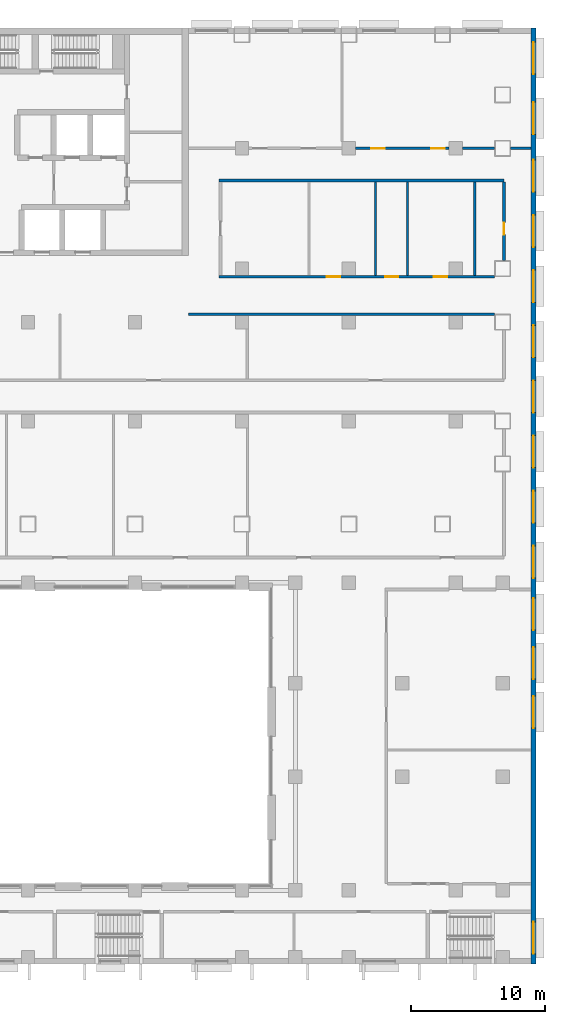
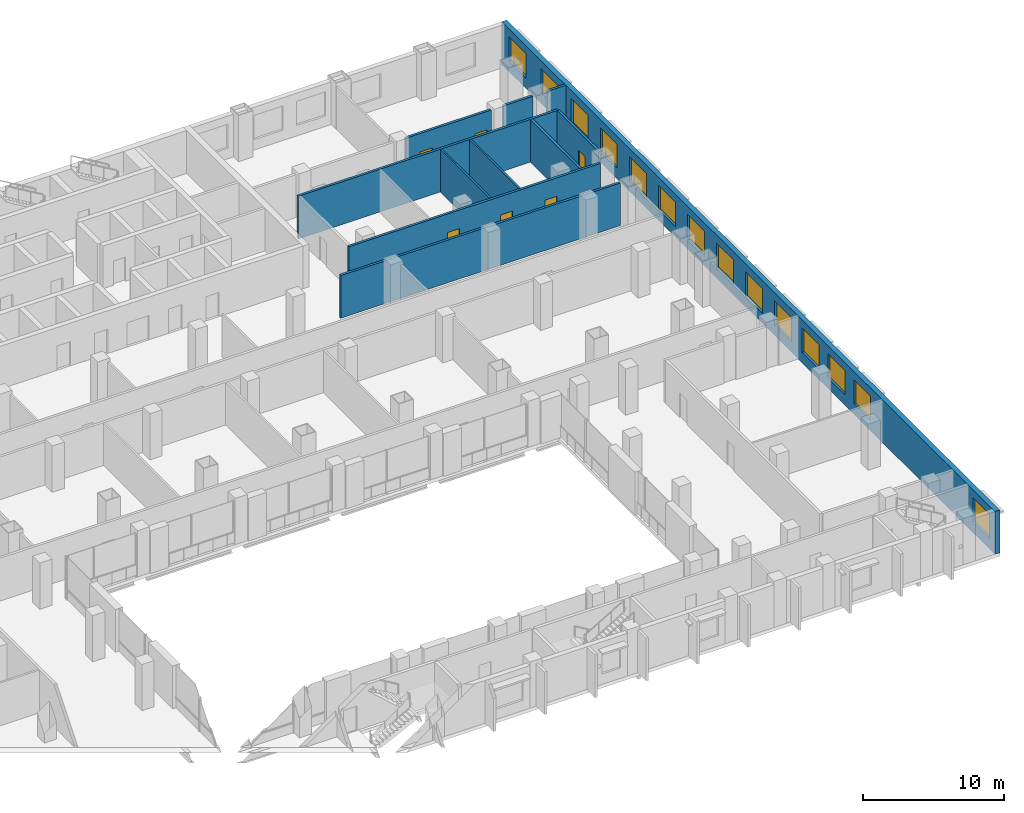
# One storey, part 15 of 25: 14 windows, 11 walls, 6 doors, 20 openings.
"""IFC4 building model written with IfcOpenShell, lengths in metres."""

import ifcopenshell
import ifcopenshell.guid

model = None  # the IFC model being written
_history = None  # IfcOwnerHistory: only IFC2X3 demands one
_inside = {}  # id of a spatial element -> (the spatial element, [elements in it])
_under = {}  # id of a project, library or spatial element -> (it, [spatial elements below it])
_declared = {}  # id of a project -> (the project, [libraries it declares])
_typed = {}  # id of a type object -> (the type object, [elements of that type])
_made_of = {}  # id of a material, layer set ... -> (it, [elements and type objects made of it])


def new_model(schema):
    """Start an empty IFC model of exactly this schema.

    Asked for "IFC4X3", IfcOpenShell would pick the latest addendum, in which some entities
    have other attributes; the version numbers below select the first issue.
    IFC2X3 requires an IfcOwnerHistory on every rooted entity: one is made here for all.
    """
    global model, _history
    if schema == "IFC4X3":
        model = ifcopenshell.file(schema_version=(4, 3, 0, 0))
    else:
        model = ifcopenshell.file(schema=schema)
    _inside.clear()
    _under.clear()
    _declared.clear()
    _typed.clear()
    _made_of.clear()
    _history = None
    if model.schema == "IFC2X3":
        org = make("IfcOrganization", Name="unknown")
        user = make(
            "IfcPersonAndOrganization",
            ThePerson=make("IfcPerson", FamilyName="unknown"),
            TheOrganization=org,
        )
        app = make(
            "IfcApplication",
            ApplicationDeveloper=org,
            Version="unknown",
            ApplicationFullName="unknown",
            ApplicationIdentifier="unknown",
        )
        _history = make(
            "IfcOwnerHistory",
            OwningUser=user,
            OwningApplication=app,
            ChangeAction="ADDED",
            CreationDate=0,
        )
    return model


def make(cls, **values):
    """One entity of the class cls with the attributes given. An attribute that is None is left unset."""
    return model.create_entity(
        cls, **{name: value for name, value in values.items() if value is not None}
    )


def rooted(cls, **values):
    """An entity with a GlobalId (a new one), such as an element, a storey or a relation."""
    return make(cls, GlobalId=ifcopenshell.guid.new(), OwnerHistory=_history, **values)


def si_unit(unit_type, name, prefix=None):
    """IfcSIUnit, for example si_unit("LENGTHUNIT", "METRE", prefix="MILLI")."""
    return make("IfcSIUnit", UnitType=unit_type, Prefix=prefix, Name=name)


def assignment(units):
    """IfcUnitAssignment: the units of a project."""
    return None if units is None else make("IfcUnitAssignment", Units=units)


def point(xyz):
    """IfcCartesianPoint."""
    return None if xyz is None else make("IfcCartesianPoint", Coordinates=xyz)


def direction(xyz):
    """IfcDirection."""
    return None if xyz is None else make("IfcDirection", DirectionRatios=xyz)


def frame(location, z_axis=None, x_axis=None):
    """IfcAxis2Placement3D, a coordinate frame: its origin and axes. An axis left out is left unset."""
    return make(
        "IfcAxis2Placement3D",
        Location=point(location),
        Axis=direction(z_axis),
        RefDirection=direction(x_axis),
    )


def frame_2d(location, x_axis=None):
    """IfcAxis2Placement2D, a coordinate frame in the plane: its origin and x axis."""
    return make(
        "IfcAxis2Placement2D", Location=point(location), RefDirection=direction(x_axis)
    )


def origin():
    """The frame at (0, 0, 0) with its axes left unset."""
    return frame((0.0, 0.0, 0.0))


def place(relative_to, where):
    """IfcLocalPlacement: puts the frame where relative to a parent placement (None: the world)."""
    return make(
        "IfcLocalPlacement", PlacementRelTo=relative_to, RelativePlacement=where
    )


def context(
    kind, dimensions, precision=None, world=None, true_north=None, identifier=None
):
    """IfcGeometricRepresentationContext, for example the 3D "Model" context."""
    return make(
        "IfcGeometricRepresentationContext",
        ContextIdentifier=identifier,
        ContextType=kind,
        CoordinateSpaceDimension=dimensions,
        Precision=precision,
        WorldCoordinateSystem=world,
        TrueNorth=true_north,
    )


def subcontext(parent, identifier, kind, view, scale=None):
    """IfcGeometricRepresentationSubContext, for example "Body" below "Model"."""
    return make(
        "IfcGeometricRepresentationSubContext",
        ContextIdentifier=identifier,
        ContextType=kind,
        ParentContext=parent,
        TargetScale=scale,
        TargetView=view,
    )


def project(units=None, contexts=None):
    """IfcProject with its units and contexts."""
    return rooted(
        "IfcProject",
        Name="project",
        RepresentationContexts=contexts,
        UnitsInContext=assignment(units),
    )


def spatial(cls, under=None, at=None, **own):
    """A site, building, storey or space (cls), placed at a placement, below another one or the project."""
    s = rooted(cls, ObjectPlacement=at, **own)
    if under is not None:
        _under.setdefault(under.id(), (under, []))[1].append(s)
    return s


def profile(cls, at=None, kind="AREA", **sizes):
    """A parametric profile (cls). Its sizes go by their IFC names, for example OverallWidth=200.0."""
    return make(cls, ProfileType=kind, Position=at, **sizes)


def rectangle(**sizes):
    """IfcRectangleProfileDef."""
    return profile("IfcRectangleProfileDef", **sizes)


def extrude(swept, where, along, depth):
    """IfcExtrudedAreaSolid: the profile swept, set in the frame where, extruded along a direction by depth."""
    return make(
        "IfcExtrudedAreaSolid",
        SweptArea=swept,
        Position=where,
        ExtrudedDirection=direction(along),
        Depth=depth,
    )


def shape(context_of_items, identifier, shape_type, items):
    """IfcShapeRepresentation: the items that make up one representation, for example the "Body"."""
    return make(
        "IfcShapeRepresentation",
        ContextOfItems=context_of_items,
        RepresentationIdentifier=identifier,
        RepresentationType=shape_type,
        Items=items,
    )


def material(Name=None, Category=None):
    """IfcMaterial."""
    return make("IfcMaterial", Name=Name, Category=Category)


def layer(
    of_material, thickness, ventilated=None, Name=None, Category=None, Priority=None
):
    """IfcMaterialLayer: one layer of a wall or slab, of a material (None: an air gap)."""
    return make(
        "IfcMaterialLayer",
        Material=of_material,
        LayerThickness=thickness,
        IsVentilated=ventilated,
        Name=Name,
        Category=Category,
        Priority=Priority,
    )


def layer_set(layers, Name=None):
    """IfcMaterialLayerSet."""
    return make("IfcMaterialLayerSet", MaterialLayers=layers, LayerSetName=Name)


def made_of(thing, what):
    """Note that an element or type object is made of a material, layer set ...; save() writes the relation."""
    if what is not None:
        _made_of.setdefault(what.id(), (what, []))[1].append(thing)
    return thing


def type_object(cls, material=None, **own):
    """A type object (cls), such as IfcWallType, which elements share."""
    return made_of(rooted(cls, **own), material)


def element(
    cls,
    number,
    at=None,
    inside=None,
    cuts=None,
    type_object=None,
    material=None,
    context=None,
    identifier="Body",
    shape_type=None,
    held_by="IfcProductDefinitionShape",
    body=None,
    shapes=None,
    **own,
):
    """One element of the class cls, such as IfcWall. Its Tag is "e" and its number.

    at: its placement. inside: the storey or other place that contains it. cuts: it is an
    opening in that element (IfcRelVoidsElement). A single representation is given by context,
    identifier, shape_type and body (its items); several are given by shapes. held_by: the class
    of the entity that holds the representations. save() writes the other relations.
    """
    e = rooted(cls, Tag="e%d" % number, ObjectPlacement=at, **own)
    if body is not None:
        shapes = [shape(context, identifier, shape_type, body)]
    if shapes is not None:
        e.Representation = make(held_by, Representations=shapes)
    if inside is not None:
        _inside.setdefault(inside.id(), (inside, []))[1].append(e)
    if cuts is not None:
        rooted(
            "IfcRelVoidsElement", RelatingBuildingElement=cuts, RelatedOpeningElement=e
        )
    if type_object is not None:
        _typed.setdefault(type_object.id(), (type_object, []))[1].append(e)
    return made_of(e, material)


def fill(opening, filler):
    """IfcRelFillsElement: the door or window that sits in an opening."""
    return rooted(
        "IfcRelFillsElement",
        RelatingOpeningElement=opening,
        RelatedBuildingElement=filler,
    )


def aggregate(whole, parts):
    """IfcRelAggregates: a whole, such as a stair, and the parts it consists of."""
    return rooted("IfcRelAggregates", RelatingObject=whole, RelatedObjects=parts)


def save(model, path):
    """Write the relations noted so far, then the file.

    IfcRelAggregates (storeys below a building ...), IfcRelContainedInSpatialStructure (elements
    in a storey), IfcRelDefinesByType, IfcRelAssociatesMaterial and IfcRelDeclares: one each for
    every whole, place, type object, material and project.
    """
    for whole, parts in _under.values():
        aggregate(whole, parts)
    for where, things in _inside.values():
        rooted(
            "IfcRelContainedInSpatialStructure",
            RelatedElements=things,
            RelatingStructure=where,
        )
    for kind, things in _typed.values():
        rooted("IfcRelDefinesByType", RelatedObjects=things, RelatingType=kind)
    for what, things in _made_of.values():
        rooted("IfcRelAssociatesMaterial", RelatedObjects=things, RelatingMaterial=what)
    for by, libraries in _declared.values():
        rooted("IfcRelDeclares", RelatingContext=by, RelatedDefinitions=libraries)
    model.write(path)


model = new_model("IFC4")

# Units and contexts
model_context = context("Model", 3, precision=1e-05, world=origin(), true_north=direction((0.0, 1.0)))
body_context = subcontext(model_context, "Body", "Model", "MODEL_VIEW")
ifc_project = project(units=[si_unit("LENGTHUNIT", "METRE"), si_unit("AREAUNIT", "SQUARE_METRE"), si_unit("VOLUMEUNIT", "CUBIC_METRE"), si_unit("PLANEANGLEUNIT", "RADIAN"), si_unit("MASSUNIT", "GRAM", prefix="KILO")], contexts=[model_context])

# Site, building, storey
site_placement = place(None, origin())
site = spatial("IfcSite", under=ifc_project, at=site_placement, CompositionType="ELEMENT")
building_placement = place(site_placement, origin())
building = spatial("IfcBuilding", under=site, at=building_placement, Name="Vidyagriha Tower", CompositionType="ELEMENT")
storey_placement = place(building_placement, frame((0.0, 0.0, 10.0)))
storey = spatial("IfcBuildingStorey", under=building, at=storey_placement, Name="L02", CompositionType="ELEMENT", Elevation=10.0)

# Wall, openings, windows
ifc_material_1 = material(Name="Concrete C40/50 board-marked with brick facing", Category="concrete")
ifc_layer_1 = layer(ifc_material_1, 0.39990234375)
ifc_layer_set_1 = layer_set([ifc_layer_1], Name="Concrete C40/50 board-marked with brick facing")
wall_type_1 = type_object("IfcWallType", Name="Brick-faced board-marked concrete podium wall 400", PredefinedType="STANDARD", material=ifc_layer_set_1)
wall_1_placement = place(storey_placement, frame((39.800048828125, -50.0, 0.0), z_axis=(0.0, 0.0, 1.0), x_axis=(0.0, 1.0, 0.0)))
wall_1 = element("IfcWall", 1, at=wall_1_placement, inside=storey, type_object=wall_type_1, Name="Podium wall L02 R01", PredefinedType="STANDARD", context=body_context, shape_type="SweptSolid", body=[
    extrude(rectangle(XDim=70.0, YDim=0.39990234375, at=frame_2d((35.0, 0.0))), origin(), (0.0, 0.0, 1.0), 3.699951171875),
])
opening_1_placement = place(wall_1_placement, frame((0.75, 0.0, 0.89990234375)))
opening_1 = element("IfcOpeningElement", 2, at=opening_1_placement, cuts=wall_1, Name="Opening WN3", PredefinedType="OPENING", context=body_context, shape_type="SweptSolid", body=[
    extrude(rectangle(XDim=2.39990234375, YDim=2.10009765625, at=frame_2d((1.199951171875, 1.050048828125))), frame((0.0, 0.2099609375, 0.0), z_axis=(0.0, -1.0, 0.0), x_axis=(1.0, 0.0, 0.0)), (0.0, 0.0, 1.0), 0.419921875),
])
opening_2_placement = place(wall_1_placement, frame((17.63330078125, 0.0, 0.89990234375)))
opening_2 = element("IfcOpeningElement", 3, at=opening_2_placement, cuts=wall_1, Name="Opening WN3", PredefinedType="OPENING", context=body_context, shape_type="SweptSolid", body=[
    extrude(rectangle(XDim=2.39990234375, YDim=2.10009765625, at=frame_2d((1.199951171875, 1.050048828125))), frame((0.0, 0.2099609375, 0.0), z_axis=(0.0, -1.0, 0.0), x_axis=(1.0, 0.0, 0.0)), (0.0, 0.0, 1.0), 0.419921875),
])
opening_3_placement = place(wall_1_placement, frame((21.300048828125, 0.0, 0.89990234375)))
opening_3 = element("IfcOpeningElement", 4, at=opening_3_placement, cuts=wall_1, Name="Opening WN3", PredefinedType="OPENING", context=body_context, shape_type="SweptSolid", body=[
    extrude(rectangle(XDim=2.39990234375, YDim=2.10009765625, at=frame_2d((1.199951171875, 1.050048828125))), frame((0.0, 0.2099609375, 0.0), z_axis=(0.0, -1.0, 0.0), x_axis=(1.0, 0.0, 0.0)), (0.0, 0.0, 1.0), 0.419921875),
])
opening_4_placement = place(wall_1_placement, frame((24.966796875, 0.0, 0.89990234375)))
opening_4 = element("IfcOpeningElement", 5, at=opening_4_placement, cuts=wall_1, Name="Opening WN3", PredefinedType="OPENING", context=body_context, shape_type="SweptSolid", body=[
    extrude(rectangle(XDim=2.39990234375, YDim=2.10009765625, at=frame_2d((1.199951171875, 1.050048828125))), frame((0.0, 0.2099609375, 0.0), z_axis=(0.0, -1.0, 0.0), x_axis=(1.0, 0.0, 0.0)), (0.0, 0.0, 1.0), 0.419921875),
])
opening_5_placement = place(wall_1_placement, frame((28.862548828125, 0.0, 0.89990234375)))
opening_5 = element("IfcOpeningElement", 6, at=opening_5_placement, cuts=wall_1, Name="Opening WN3", PredefinedType="OPENING", context=body_context, shape_type="SweptSolid", body=[
    extrude(rectangle(XDim=2.39990234375, YDim=2.10009765625, at=frame_2d((1.199951171875, 1.050048828125))), frame((0.0, 0.2099609375, 0.0), z_axis=(0.0, -1.0, 0.0), x_axis=(1.0, 0.0, 0.0)), (0.0, 0.0, 1.0), 0.419921875),
])
opening_6_placement = place(wall_1_placement, frame((32.987548828125, 0.0, 0.89990234375)))
opening_6 = element("IfcOpeningElement", 7, at=opening_6_placement, cuts=wall_1, Name="Opening WN3", PredefinedType="OPENING", context=body_context, shape_type="SweptSolid", body=[
    extrude(rectangle(XDim=2.39990234375, YDim=2.10009765625, at=frame_2d((1.199951171875, 1.050048828125))), frame((0.0, 0.2099609375, 0.0), z_axis=(0.0, -1.0, 0.0), x_axis=(1.0, 0.0, 0.0)), (0.0, 0.0, 1.0), 0.419921875),
])
opening_7_placement = place(wall_1_placement, frame((37.112548828125, 0.0, 0.89990234375)))
opening_7 = element("IfcOpeningElement", 8, at=opening_7_placement, cuts=wall_1, Name="Opening WN3", PredefinedType="OPENING", context=body_context, shape_type="SweptSolid", body=[
    extrude(rectangle(XDim=2.39990234375, YDim=2.10009765625, at=frame_2d((1.199951171875, 1.050048828125))), frame((0.0, 0.2099609375, 0.0), z_axis=(0.0, -1.0, 0.0), x_axis=(1.0, 0.0, 0.0)), (0.0, 0.0, 1.0), 0.419921875),
])
opening_8_placement = place(wall_1_placement, frame((41.237548828125, 0.0, 0.89990234375)))
opening_8 = element("IfcOpeningElement", 9, at=opening_8_placement, cuts=wall_1, Name="Opening WN3", PredefinedType="OPENING", context=body_context, shape_type="SweptSolid", body=[
    extrude(rectangle(XDim=2.39990234375, YDim=2.10009765625, at=frame_2d((1.199951171875, 1.050048828125))), frame((0.0, 0.2099609375, 0.0), z_axis=(0.0, -1.0, 0.0), x_axis=(1.0, 0.0, 0.0)), (0.0, 0.0, 1.0), 0.419921875),
])
opening_9_placement = place(wall_1_placement, frame((45.362548828125, 0.0, 0.89990234375)))
opening_9 = element("IfcOpeningElement", 10, at=opening_9_placement, cuts=wall_1, Name="Opening WN3", PredefinedType="OPENING", context=body_context, shape_type="SweptSolid", body=[
    extrude(rectangle(XDim=2.39990234375, YDim=2.10009765625, at=frame_2d((1.199951171875, 1.050048828125))), frame((0.0, 0.2099609375, 0.0), z_axis=(0.0, -1.0, 0.0), x_axis=(1.0, 0.0, 0.0)), (0.0, 0.0, 1.0), 0.419921875),
])
opening_10_placement = place(wall_1_placement, frame((49.487548828125, 0.0, 0.89990234375)))
opening_10 = element("IfcOpeningElement", 11, at=opening_10_placement, cuts=wall_1, Name="Opening WN3", PredefinedType="OPENING", context=body_context, shape_type="SweptSolid", body=[
    extrude(rectangle(XDim=2.39990234375, YDim=2.10009765625, at=frame_2d((1.199951171875, 1.050048828125))), frame((0.0, 0.2099609375, 0.0), z_axis=(0.0, -1.0, 0.0), x_axis=(1.0, 0.0, 0.0)), (0.0, 0.0, 1.0), 0.419921875),
])
opening_11_placement = place(wall_1_placement, frame((53.612548828125, 0.0, 0.89990234375)))
opening_11 = element("IfcOpeningElement", 12, at=opening_11_placement, cuts=wall_1, Name="Opening WN3", PredefinedType="OPENING", context=body_context, shape_type="SweptSolid", body=[
    extrude(rectangle(XDim=2.39990234375, YDim=2.10009765625, at=frame_2d((1.199951171875, 1.050048828125))), frame((0.0, 0.2099609375, 0.0), z_axis=(0.0, -1.0, 0.0), x_axis=(1.0, 0.0, 0.0)), (0.0, 0.0, 1.0), 0.419921875),
])
opening_12_placement = place(wall_1_placement, frame((57.737548828125, 0.0, 0.89990234375)))
opening_12 = element("IfcOpeningElement", 13, at=opening_12_placement, cuts=wall_1, Name="Opening WN3", PredefinedType="OPENING", context=body_context, shape_type="SweptSolid", body=[
    extrude(rectangle(XDim=2.39990234375, YDim=2.10009765625, at=frame_2d((1.199951171875, 1.050048828125))), frame((0.0, 0.2099609375, 0.0), z_axis=(0.0, -1.0, 0.0), x_axis=(1.0, 0.0, 0.0)), (0.0, 0.0, 1.0), 0.419921875),
])
opening_13_placement = place(wall_1_placement, frame((62.050048828125, 0.0, 0.89990234375)))
opening_13 = element("IfcOpeningElement", 14, at=opening_13_placement, cuts=wall_1, Name="Opening WN3", PredefinedType="OPENING", context=body_context, shape_type="SweptSolid", body=[
    extrude(rectangle(XDim=2.39990234375, YDim=2.10009765625, at=frame_2d((1.199951171875, 1.050048828125))), frame((0.0, 0.2099609375, 0.0), z_axis=(0.0, -1.0, 0.0), x_axis=(1.0, 0.0, 0.0)), (0.0, 0.0, 1.0), 0.419921875),
])
opening_14_placement = place(wall_1_placement, frame((66.550048828125, 0.0, 0.89990234375)))
opening_14 = element("IfcOpeningElement", 15, at=opening_14_placement, cuts=wall_1, Name="Opening WN3", PredefinedType="OPENING", context=body_context, shape_type="SweptSolid", body=[
    extrude(rectangle(XDim=2.39990234375, YDim=2.10009765625, at=frame_2d((1.199951171875, 1.050048828125))), frame((0.0, 0.2099609375, 0.0), z_axis=(0.0, -1.0, 0.0), x_axis=(1.0, 0.0, 0.0)), (0.0, 0.0, 1.0), 0.419921875),
])
ifc_material_2 = material(Name="Aluminium and glass window", Category="aluminium")
window_type = type_object("IfcWindowType", Name="Podium school window 2400x2100", PartitioningType="NOTDEFINED", PredefinedType="WINDOW", material=ifc_material_2)
window_1_placement = place(opening_1_placement, origin())
window_1 = element("IfcWindow", 16, at=window_1_placement, inside=storey, type_object=window_type, Name="School window L02 R01.1", OverallHeight=2.10009765625, OverallWidth=2.39990234375, PartitioningType="SINGLE_PANEL", PredefinedType="WINDOW", context=body_context, shape_type="SweptSolid", body=[
    extrude(rectangle(XDim=2.39990234375, YDim=2.10009765625, at=frame_2d((1.199951171875, 1.050048828125))), frame((0.0, 0.030029296875, 0.0), z_axis=(0.0, -1.0, 0.0), x_axis=(1.0, 0.0, 0.0)), (0.0, 0.0, 1.0), 0.06005859375),
])
fill(opening_1, window_1)
window_2_placement = place(opening_2_placement, origin())
window_2 = element("IfcWindow", 17, at=window_2_placement, inside=storey, type_object=window_type, Name="School window L02 R01.7", OverallHeight=2.10009765625, OverallWidth=2.39990234375, PartitioningType="SINGLE_PANEL", PredefinedType="WINDOW", context=body_context, shape_type="SweptSolid", body=[
    extrude(rectangle(XDim=2.39990234375, YDim=2.10009765625, at=frame_2d((1.199951171875, 1.050048828125))), frame((0.0, 0.030029296875, 0.0), z_axis=(0.0, -1.0, 0.0), x_axis=(1.0, 0.0, 0.0)), (0.0, 0.0, 1.0), 0.06005859375),
])
fill(opening_2, window_2)
window_3_placement = place(opening_3_placement, origin())
window_3 = element("IfcWindow", 18, at=window_3_placement, inside=storey, type_object=window_type, Name="School window L02 R01.8", OverallHeight=2.10009765625, OverallWidth=2.39990234375, PartitioningType="SINGLE_PANEL", PredefinedType="WINDOW", context=body_context, shape_type="SweptSolid", body=[
    extrude(rectangle(XDim=2.39990234375, YDim=2.10009765625, at=frame_2d((1.199951171875, 1.050048828125))), frame((0.0, 0.030029296875, 0.0), z_axis=(0.0, -1.0, 0.0), x_axis=(1.0, 0.0, 0.0)), (0.0, 0.0, 1.0), 0.06005859375),
])
fill(opening_3, window_3)
window_4_placement = place(opening_4_placement, origin())
window_4 = element("IfcWindow", 19, at=window_4_placement, inside=storey, type_object=window_type, Name="School window L02 R01.9", OverallHeight=2.10009765625, OverallWidth=2.39990234375, PartitioningType="SINGLE_PANEL", PredefinedType="WINDOW", context=body_context, shape_type="SweptSolid", body=[
    extrude(rectangle(XDim=2.39990234375, YDim=2.10009765625, at=frame_2d((1.199951171875, 1.050048828125))), frame((0.0, 0.030029296875, 0.0), z_axis=(0.0, -1.0, 0.0), x_axis=(1.0, 0.0, 0.0)), (0.0, 0.0, 1.0), 0.06005859375),
])
fill(opening_4, window_4)
window_5_placement = place(opening_5_placement, origin())
window_5 = element("IfcWindow", 20, at=window_5_placement, inside=storey, type_object=window_type, Name="School window L02 R01.10", OverallHeight=2.10009765625, OverallWidth=2.39990234375, PartitioningType="SINGLE_PANEL", PredefinedType="WINDOW", context=body_context, shape_type="SweptSolid", body=[
    extrude(rectangle(XDim=2.39990234375, YDim=2.10009765625, at=frame_2d((1.199951171875, 1.050048828125))), frame((0.0, 0.030029296875, 0.0), z_axis=(0.0, -1.0, 0.0), x_axis=(1.0, 0.0, 0.0)), (0.0, 0.0, 1.0), 0.06005859375),
])
fill(opening_5, window_5)
window_6_placement = place(opening_6_placement, origin())
window_6 = element("IfcWindow", 21, at=window_6_placement, inside=storey, type_object=window_type, Name="School window L02 R01.11", OverallHeight=2.10009765625, OverallWidth=2.39990234375, PartitioningType="SINGLE_PANEL", PredefinedType="WINDOW", context=body_context, shape_type="SweptSolid", body=[
    extrude(rectangle(XDim=2.39990234375, YDim=2.10009765625, at=frame_2d((1.199951171875, 1.050048828125))), frame((0.0, 0.030029296875, 0.0), z_axis=(0.0, -1.0, 0.0), x_axis=(1.0, 0.0, 0.0)), (0.0, 0.0, 1.0), 0.06005859375),
])
fill(opening_6, window_6)
window_7_placement = place(opening_7_placement, origin())
window_7 = element("IfcWindow", 22, at=window_7_placement, inside=storey, type_object=window_type, Name="School window L02 R01.12", OverallHeight=2.10009765625, OverallWidth=2.39990234375, PartitioningType="SINGLE_PANEL", PredefinedType="WINDOW", context=body_context, shape_type="SweptSolid", body=[
    extrude(rectangle(XDim=2.39990234375, YDim=2.10009765625, at=frame_2d((1.199951171875, 1.050048828125))), frame((0.0, 0.030029296875, 0.0), z_axis=(0.0, -1.0, 0.0), x_axis=(1.0, 0.0, 0.0)), (0.0, 0.0, 1.0), 0.06005859375),
])
fill(opening_7, window_7)
window_8_placement = place(opening_8_placement, origin())
window_8 = element("IfcWindow", 23, at=window_8_placement, inside=storey, type_object=window_type, Name="School window L02 R01.13", OverallHeight=2.10009765625, OverallWidth=2.39990234375, PartitioningType="SINGLE_PANEL", PredefinedType="WINDOW", context=body_context, shape_type="SweptSolid", body=[
    extrude(rectangle(XDim=2.39990234375, YDim=2.10009765625, at=frame_2d((1.199951171875, 1.050048828125))), frame((0.0, 0.030029296875, 0.0), z_axis=(0.0, -1.0, 0.0), x_axis=(1.0, 0.0, 0.0)), (0.0, 0.0, 1.0), 0.06005859375),
])
fill(opening_8, window_8)
window_9_placement = place(opening_9_placement, origin())
window_9 = element("IfcWindow", 24, at=window_9_placement, inside=storey, type_object=window_type, Name="School window L02 R01.14", OverallHeight=2.10009765625, OverallWidth=2.39990234375, PartitioningType="SINGLE_PANEL", PredefinedType="WINDOW", context=body_context, shape_type="SweptSolid", body=[
    extrude(rectangle(XDim=2.39990234375, YDim=2.10009765625, at=frame_2d((1.199951171875, 1.050048828125))), frame((0.0, 0.030029296875, 0.0), z_axis=(0.0, -1.0, 0.0), x_axis=(1.0, 0.0, 0.0)), (0.0, 0.0, 1.0), 0.06005859375),
])
fill(opening_9, window_9)
window_10_placement = place(opening_10_placement, origin())
window_10 = element("IfcWindow", 25, at=window_10_placement, inside=storey, type_object=window_type, Name="School window L02 R01.15", OverallHeight=2.10009765625, OverallWidth=2.39990234375, PartitioningType="SINGLE_PANEL", PredefinedType="WINDOW", context=body_context, shape_type="SweptSolid", body=[
    extrude(rectangle(XDim=2.39990234375, YDim=2.10009765625, at=frame_2d((1.199951171875, 1.050048828125))), frame((0.0, 0.030029296875, 0.0), z_axis=(0.0, -1.0, 0.0), x_axis=(1.0, 0.0, 0.0)), (0.0, 0.0, 1.0), 0.06005859375),
])
fill(opening_10, window_10)
window_11_placement = place(opening_11_placement, origin())
window_11 = element("IfcWindow", 26, at=window_11_placement, inside=storey, type_object=window_type, Name="School window L02 R01.16", OverallHeight=2.10009765625, OverallWidth=2.39990234375, PartitioningType="SINGLE_PANEL", PredefinedType="WINDOW", context=body_context, shape_type="SweptSolid", body=[
    extrude(rectangle(XDim=2.39990234375, YDim=2.10009765625, at=frame_2d((1.199951171875, 1.050048828125))), frame((0.0, 0.030029296875, 0.0), z_axis=(0.0, -1.0, 0.0), x_axis=(1.0, 0.0, 0.0)), (0.0, 0.0, 1.0), 0.06005859375),
])
fill(opening_11, window_11)
window_12_placement = place(opening_12_placement, origin())
window_12 = element("IfcWindow", 27, at=window_12_placement, inside=storey, type_object=window_type, Name="School window L02 R01.17", OverallHeight=2.10009765625, OverallWidth=2.39990234375, PartitioningType="SINGLE_PANEL", PredefinedType="WINDOW", context=body_context, shape_type="SweptSolid", body=[
    extrude(rectangle(XDim=2.39990234375, YDim=2.10009765625, at=frame_2d((1.199951171875, 1.050048828125))), frame((0.0, 0.030029296875, 0.0), z_axis=(0.0, -1.0, 0.0), x_axis=(1.0, 0.0, 0.0)), (0.0, 0.0, 1.0), 0.06005859375),
])
fill(opening_12, window_12)
window_13_placement = place(opening_13_placement, origin())
window_13 = element("IfcWindow", 28, at=window_13_placement, inside=storey, type_object=window_type, Name="School window L02 R01.18", OverallHeight=2.10009765625, OverallWidth=2.39990234375, PartitioningType="SINGLE_PANEL", PredefinedType="WINDOW", context=body_context, shape_type="SweptSolid", body=[
    extrude(rectangle(XDim=2.39990234375, YDim=2.10009765625, at=frame_2d((1.199951171875, 1.050048828125))), frame((0.0, 0.030029296875, 0.0), z_axis=(0.0, -1.0, 0.0), x_axis=(1.0, 0.0, 0.0)), (0.0, 0.0, 1.0), 0.06005859375),
])
fill(opening_13, window_13)
window_14_placement = place(opening_14_placement, origin())
window_14 = element("IfcWindow", 29, at=window_14_placement, inside=storey, type_object=window_type, Name="School window L02 R01.19", OverallHeight=2.10009765625, OverallWidth=2.39990234375, PartitioningType="SINGLE_PANEL", PredefinedType="WINDOW", context=body_context, shape_type="SweptSolid", body=[
    extrude(rectangle(XDim=2.39990234375, YDim=2.10009765625, at=frame_2d((1.199951171875, 1.050048828125))), frame((0.0, 0.030029296875, 0.0), z_axis=(0.0, -1.0, 0.0), x_axis=(1.0, 0.0, 0.0)), (0.0, 0.0, 1.0), 0.06005859375),
])
fill(opening_14, window_14)

# Wall
ifc_material_3 = material(Name="Fire rated gypsum board on light gauge framing")
ifc_layer_2 = layer(ifc_material_3, 0.199951171875)
ifc_layer_set_2 = layer_set([ifc_layer_2], Name="Fire rated gypsum board on light gauge framing")
wall_type_2 = type_object("IfcWallType", Name="Fire Rated Corridor Wall 200", PredefinedType="PARTITIONING", material=ifc_layer_set_2)
wall_2_placement = place(storey_placement, frame((14.0, -1.39990234375, 0.0)))
element("IfcWall", 30, at=wall_2_placement, inside=storey, type_object=wall_type_2, Name="L02 Fire Rated Corridor Wall 200 025", PredefinedType="PARTITIONING", context=body_context, shape_type="SweptSolid", body=[
    extrude(rectangle(XDim=22.89990234375, YDim=0.199951171875, at=frame_2d((11.449951171875, 0.0))), origin(), (0.0, 0.0, 1.0), 3.699951171875),
])

# Wall, openings, doors
wall_3_placement = place(storey_placement, frame((16.300048828125, 1.39990234375, 0.0)))
wall_3 = element("IfcWall", 31, at=wall_3_placement, inside=storey, type_object=wall_type_2, Name="L02 Fire Rated Corridor Wall 200 027", PredefinedType="PARTITIONING", context=body_context, shape_type="SweptSolid", body=[
    extrude(rectangle(XDim=20.599853515625, YDim=0.199951171875, at=frame_2d((10.2998046875, 0.0))), origin(), (0.0, 0.0, 1.0), 3.699951171875),
])
opening_15_placement = place(wall_3_placement, frame((8.0498046875, 0.0, 0.0)))
opening_15 = element("IfcOpeningElement", 32, at=opening_15_placement, cuts=wall_3, Name="Opening D02-47", PredefinedType="OPENING", context=body_context, shape_type="SweptSolid", body=[
    extrude(rectangle(XDim=1.0, YDim=2.10009765625, at=frame_2d((0.5, 1.050048828125))), frame((0.0, 0.10986328125, 0.0), z_axis=(0.0, -1.0, 0.0), x_axis=(1.0, 0.0, 0.0)), (0.0, 0.0, 1.0), 0.219970703125),
])
opening_16_placement = place(wall_3_placement, frame((12.39990234375, 0.0, 0.0)))
opening_16 = element("IfcOpeningElement", 33, at=opening_16_placement, cuts=wall_3, Name="Opening D02-48", PredefinedType="OPENING", context=body_context, shape_type="SweptSolid", body=[
    extrude(rectangle(XDim=1.0, YDim=2.10009765625, at=frame_2d((0.5, 1.050048828125))), frame((0.0, 0.10986328125, 0.0), z_axis=(0.0, -1.0, 0.0), x_axis=(1.0, 0.0, 0.0)), (0.0, 0.0, 1.0), 0.219970703125),
])
opening_17_placement = place(wall_3_placement, frame((16.0498046875, 0.0, 0.0)))
opening_17 = element("IfcOpeningElement", 34, at=opening_17_placement, cuts=wall_3, Name="Opening D02-49", PredefinedType="OPENING", context=body_context, shape_type="SweptSolid", body=[
    extrude(rectangle(XDim=1.0, YDim=2.10009765625, at=frame_2d((0.5, 1.050048828125))), frame((0.0, 0.10986328125, 0.0), z_axis=(0.0, -1.0, 0.0), x_axis=(1.0, 0.0, 0.0)), (0.0, 0.0, 1.0), 0.219970703125),
])
ifc_material_4 = material(Name="Steel fire door set", Category="steel")
door_type_1 = type_object("IfcDoorType", Name="Podium Door 1000x2100 EI 30", OperationType="NOTDEFINED", PredefinedType="DOOR", material=ifc_material_4)
door_1_placement = place(opening_15_placement, origin())
door_1 = element("IfcDoor", 35, at=door_1_placement, inside=storey, type_object=door_type_1, Name="L02 door D02-47", OperationType="SINGLE_SWING_LEFT", OverallHeight=2.10009765625, OverallWidth=1.0, PredefinedType="DOOR", context=body_context, shape_type="SweptSolid", body=[
    extrude(rectangle(XDim=1.0, YDim=2.10009765625, at=frame_2d((0.5, 1.050048828125))), frame((0.0, 0.02490234375, 0.0), z_axis=(0.0, -1.0, 0.0), x_axis=(1.0, 0.0, 0.0)), (0.0, 0.0, 1.0), 0.050048828125),
])
fill(opening_15, door_1)
door_2_placement = place(opening_16_placement, origin())
door_2 = element("IfcDoor", 36, at=door_2_placement, inside=storey, type_object=door_type_1, Name="L02 door D02-48", OperationType="SINGLE_SWING_RIGHT", OverallHeight=2.10009765625, OverallWidth=1.0, PredefinedType="DOOR", context=body_context, shape_type="SweptSolid", body=[
    extrude(rectangle(XDim=1.0, YDim=2.10009765625, at=frame_2d((0.5, 1.050048828125))), frame((0.0, 0.02490234375, 0.0), z_axis=(0.0, -1.0, 0.0), x_axis=(1.0, 0.0, 0.0)), (0.0, 0.0, 1.0), 0.050048828125),
])
fill(opening_16, door_2)
door_3_placement = place(opening_17_placement, origin())
door_3 = element("IfcDoor", 37, at=door_3_placement, inside=storey, type_object=door_type_1, Name="L02 door D02-49", OperationType="SINGLE_SWING_RIGHT", OverallHeight=2.10009765625, OverallWidth=1.0, PredefinedType="DOOR", context=body_context, shape_type="SweptSolid", body=[
    extrude(rectangle(XDim=1.0, YDim=2.10009765625, at=frame_2d((0.5, 1.050048828125))), frame((0.0, 0.02490234375, 0.0), z_axis=(0.0, -1.0, 0.0), x_axis=(1.0, 0.0, 0.0)), (0.0, 0.0, 1.0), 0.050048828125),
])
fill(opening_17, door_3)

# Wall
wall_4_placement = place(storey_placement, frame((16.300048828125, 8.60009765625, 0.0)))
element("IfcWall", 38, at=wall_4_placement, inside=storey, type_object=wall_type_2, Name="L02 Fire Rated Corridor Wall 200 029", PredefinedType="PARTITIONING", context=body_context, shape_type="SweptSolid", body=[
    extrude(rectangle(XDim=21.2998046875, YDim=0.199951171875, at=frame_2d((10.64990234375, 0.0))), origin(), (0.0, 0.0, 1.0), 3.699951171875),
])

# Wall, openings, doors
wall_5_placement = place(storey_placement, frame((26.5, 11.0, 0.0)))
wall_5 = element("IfcWall", 39, at=wall_5_placement, inside=storey, type_object=wall_type_2, Name="L02 Fire Rated Corridor Wall 200 036", PredefinedType="PARTITIONING", context=body_context, shape_type="SweptSolid", body=[
    extrude(rectangle(XDim=7.0, YDim=0.199951171875, at=frame_2d((3.5, 0.0))), origin(), (0.0, 0.0, 1.0), 3.699951171875),
])
opening_18_placement = place(wall_5_placement, frame((1.162109375, 0.0, 0.0)))
opening_18 = element("IfcOpeningElement", 40, at=opening_18_placement, cuts=wall_5, Name="Opening D02-57", PredefinedType="OPENING", context=body_context, shape_type="SweptSolid", body=[
    extrude(rectangle(XDim=1.0, YDim=2.10009765625, at=frame_2d((0.5, 1.050048828125))), frame((0.0, 0.10986328125, 0.0), z_axis=(0.0, -1.0, 0.0), x_axis=(1.0, 0.0, 0.0)), (0.0, 0.0, 1.0), 0.219970703125),
])
opening_19_placement = place(wall_5_placement, frame((5.64990234375, 0.0, 0.0)))
opening_19 = element("IfcOpeningElement", 41, at=opening_19_placement, cuts=wall_5, Name="Opening D02-58", PredefinedType="OPENING", context=body_context, shape_type="SweptSolid", body=[
    extrude(rectangle(XDim=1.0, YDim=2.10009765625, at=frame_2d((0.5, 1.050048828125))), frame((0.0, 0.10986328125, 0.0), z_axis=(0.0, -1.0, 0.0), x_axis=(1.0, 0.0, 0.0)), (0.0, 0.0, 1.0), 0.219970703125),
])
door_4_placement = place(opening_18_placement, origin())
door_4 = element("IfcDoor", 42, at=door_4_placement, inside=storey, type_object=door_type_1, Name="L02 door D02-57", OperationType="SINGLE_SWING_LEFT", OverallHeight=2.10009765625, OverallWidth=1.0, PredefinedType="DOOR", context=body_context, shape_type="SweptSolid", body=[
    extrude(rectangle(XDim=1.0, YDim=2.10009765625, at=frame_2d((0.5, 1.050048828125))), frame((0.0, 0.02490234375, 0.0), z_axis=(0.0, -1.0, 0.0), x_axis=(1.0, 0.0, 0.0)), (0.0, 0.0, 1.0), 0.050048828125),
])
fill(opening_18, door_4)
door_5_placement = place(opening_19_placement, origin())
door_5 = element("IfcDoor", 43, at=door_5_placement, inside=storey, type_object=door_type_1, Name="L02 door D02-58", OperationType="SINGLE_SWING_RIGHT", OverallHeight=2.10009765625, OverallWidth=1.0, PredefinedType="DOOR", context=body_context, shape_type="SweptSolid", body=[
    extrude(rectangle(XDim=1.0, YDim=2.10009765625, at=frame_2d((0.5, 1.050048828125))), frame((0.0, 0.02490234375, 0.0), z_axis=(0.0, -1.0, 0.0), x_axis=(1.0, 0.0, 0.0)), (0.0, 0.0, 1.0), 0.050048828125),
])
fill(opening_19, door_5)

# Walls
wall_6_placement = place(storey_placement, frame((34.5, 11.0, 0.0)))
element("IfcWall", 44, at=wall_6_placement, inside=storey, type_object=wall_type_2, Name="L02 Fire Rated Corridor Wall 200 037", PredefinedType="PARTITIONING", context=body_context, shape_type="SweptSolid", body=[
    extrude(rectangle(XDim=2.39990234375, YDim=0.199951171875, at=frame_2d((1.199951171875, 0.0))), origin(), (0.0, 0.0, 1.0), 3.699951171875),
])
wall_7_placement = place(storey_placement, frame((38.10009765625, 11.0, 0.0)))
element("IfcWall", 45, at=wall_7_placement, inside=storey, type_object=wall_type_2, Name="L02 Fire Rated Corridor Wall 200 038", PredefinedType="PARTITIONING", context=body_context, shape_type="SweptSolid", body=[
    extrude(rectangle(XDim=1.5, YDim=0.199951171875, at=frame_2d((0.75, 0.0))), origin(), (0.0, 0.0, 1.0), 3.699951171875),
])
wall_8_placement = place(storey_placement, frame((35.39990234375, 1.5, 0.0), z_axis=(0.0, 0.0, 1.0), x_axis=(0.0, 1.0, 0.0)))
element("IfcWall", 46, at=wall_8_placement, inside=storey, type_object=wall_type_2, Name="L02 Fire Rated Corridor Wall 200 076", PredefinedType="PARTITIONING", context=body_context, shape_type="SweptSolid", body=[
    extrude(rectangle(XDim=7.0, YDim=0.199951171875, at=frame_2d((3.5, 0.0))), origin(), (0.0, 0.0, 1.0), 3.699951171875),
])

# Wall, opening, door
wall_9_placement = place(storey_placement, frame((37.60009765625, 2.60009765625, 0.0), z_axis=(0.0, 0.0, 1.0), x_axis=(0.0, 1.0, 0.0)))
wall_9 = element("IfcWall", 47, at=wall_9_placement, inside=storey, type_object=wall_type_2, Name="L02 Fire Rated Corridor Wall 200 080", PredefinedType="PARTITIONING", context=body_context, shape_type="SweptSolid", body=[
    extrude(rectangle(XDim=5.89990234375, YDim=0.199951171875, at=frame_2d((2.949951171875, 0.0))), origin(), (0.0, 0.0, 1.0), 3.699951171875),
])
opening_20_placement = place(wall_9_placement, frame((1.949951171875, 0.0, 0.0)))
opening_20 = element("IfcOpeningElement", 48, at=opening_20_placement, cuts=wall_9, Name="Opening D02-50", PredefinedType="OPENING", context=body_context, shape_type="SweptSolid", body=[
    extrude(rectangle(XDim=0.89990234375, YDim=2.10009765625, at=frame_2d((0.449951171875, 1.050048828125))), frame((0.0, 0.10986328125, 0.0), z_axis=(0.0, -1.0, 0.0), x_axis=(1.0, 0.0, 0.0)), (0.0, 0.0, 1.0), 0.219970703125),
])
ifc_material_5 = material(Name="Steel fire door set", Category="steel")
door_type_2 = type_object("IfcDoorType", Name="Podium Door 900x2100 EI 30", OperationType="NOTDEFINED", PredefinedType="DOOR", material=ifc_material_5)
door_6_placement = place(opening_20_placement, origin())
door_6 = element("IfcDoor", 49, at=door_6_placement, inside=storey, type_object=door_type_2, Name="L02 door D02-50", OperationType="SINGLE_SWING_LEFT", OverallHeight=2.10009765625, OverallWidth=0.89990234375, PredefinedType="DOOR", context=body_context, shape_type="SweptSolid", body=[
    extrude(rectangle(XDim=0.89990234375, YDim=2.10009765625, at=frame_2d((0.449951171875, 1.050048828125))), frame((0.0, 0.02490234375, 0.0), z_axis=(0.0, -1.0, 0.0), x_axis=(1.0, 0.0, 0.0)), (0.0, 0.0, 1.0), 0.050048828125),
])
fill(opening_20, door_6)

# Walls
ifc_material_6 = material(Name="Gypsum board on light gauge framing")
ifc_layer_3 = layer(ifc_material_6, 0.14990234375)
ifc_layer_set_3 = layer_set([ifc_layer_3], Name="Gypsum board on light gauge framing")
wall_type_3 = type_object("IfcWallType", Name="Gypsum Board Partition 150", PredefinedType="PARTITIONING", material=ifc_layer_set_3)
for number, where, z_axis, x_axis, name in (
    (50, (28.0, 1.5, 0.0), (0.0, 0.0, 1.0), (0.0, 1.0, 0.0), "L02 Gypsum Board Partition 150 072"),
    (51, (30.39990234375, 1.5, 0.0), (0.0, 0.0, 1.0), (0.0, 1.0, 0.0), "L02 Gypsum Board Partition 150 074"),
):
    element("IfcWall", number, at=place(storey_placement, frame(where, z_axis=z_axis, x_axis=x_axis)), inside=storey, type_object=wall_type_3, Name=name, PredefinedType="PARTITIONING", context=body_context, shape_type="SweptSolid", body=[
        extrude(rectangle(XDim=7.0, YDim=0.14990234375, at=frame_2d((3.5, 0.0))), origin(), (0.0, 0.0, 1.0), 3.699951171875),
    ])

save(model, "model.ifc")
